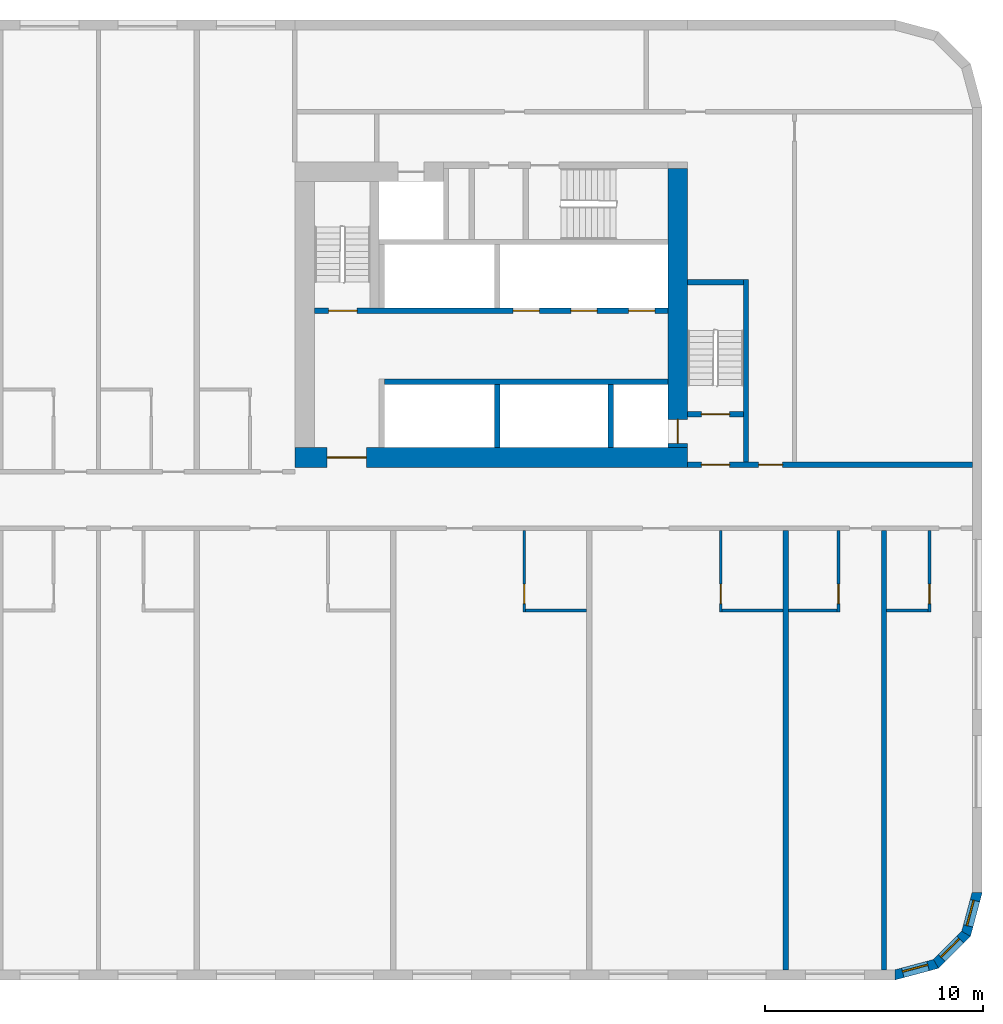
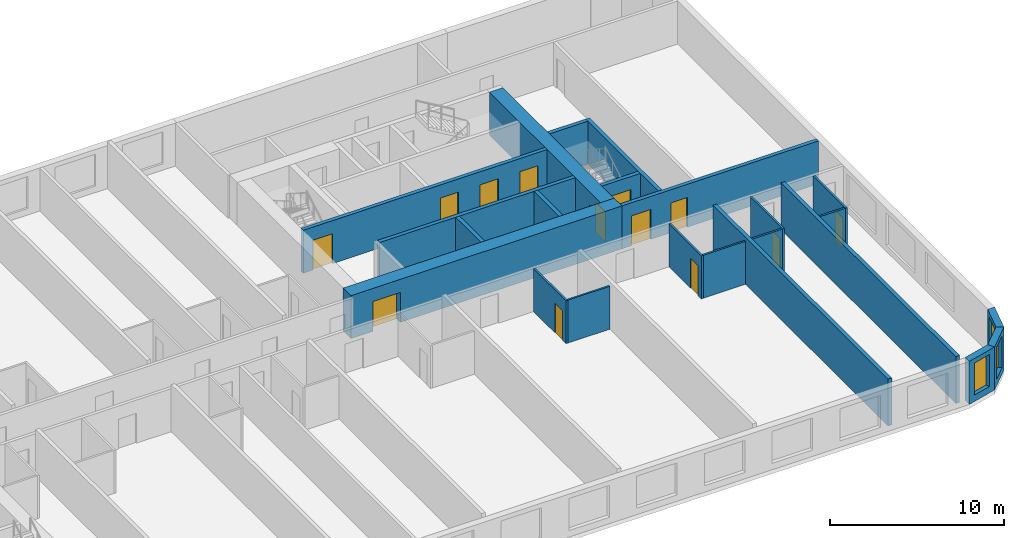
# One storey, part 7 of 12: 23 walls, 13 doors, 3 windows, 16 openings.
"""IFC4 building model written with IfcOpenShell, lengths in metres."""

from ifc_helpers import new_model, si_unit, direction, frame, frame_2d, origin, place, context, subcontext, project, spatial, polyline, rectangle, outline, extrude, material, layer, layer_set, type_object, element, fill, save


model = new_model("IFC4")

# Units and contexts
model_context = context("Model", 3, precision=1e-05, world=origin(), true_north=direction((0.0, 1.0)))
body_context = subcontext(model_context, "Body", "Model", "MODEL_VIEW")
ifc_project = project(units=[si_unit("LENGTHUNIT", "METRE"), si_unit("AREAUNIT", "SQUARE_METRE"), si_unit("VOLUMEUNIT", "CUBIC_METRE"), si_unit("PLANEANGLEUNIT", "RADIAN"), si_unit("MASSUNIT", "GRAM", prefix="KILO")], contexts=[model_context])

# Site, building, storey
site_placement = place(None, origin())
site = spatial("IfcSite", under=ifc_project, at=site_placement, CompositionType="ELEMENT")
building_placement = place(site_placement, origin())
building = spatial("IfcBuilding", under=site, at=building_placement, Name="Kajstack Hotel Tower", CompositionType="ELEMENT")
storey_placement = place(building_placement, frame((0.0, 0.0, 66.60009765625)))
storey = spatial("IfcBuildingStorey", under=building, at=storey_placement, Name="L11", CompositionType="ELEMENT", Elevation=66.60009765625)

# Wall, opening, door
ifc_material_1 = material(Name="Concrete C60/75", Category="concrete")
ifc_layer_1 = layer(ifc_material_1, 0.89990234375)
ifc_layer_set_1 = layer_set([ifc_layer_1], Name="Core wall 900")
wall_type_1 = type_object("IfcWallType", Name="Core wall 900", PredefinedType="SHEAR", material=ifc_layer_set_1)
wall_1_placement = place(storey_placement, frame((13.5, 1.949951171875, 0.0), z_axis=(0.0, 0.0, 1.0), x_axis=(1.0, 0.0, 0.0)))
wall_1 = element("IfcWall", 1, at=wall_1_placement, inside=storey, type_object=wall_type_1, Name="Core wall E RN", PredefinedType="SHEAR", context=body_context, shape_type="SweptSolid", body=[
    extrude(rectangle(XDim=18.0, YDim=0.89990234375, at=frame_2d((9.0, 0.0))), origin(), (0.0, 0.0, 1.0), 3.02001953125),
])
opening_1_placement = place(wall_1_placement, frame((1.47509765625, 0.0, 0.0)))
opening_1 = element("IfcOpeningElement", 2, at=opening_1_placement, cuts=wall_1, Name="Opening 11E06", PredefinedType="OPENING", context=body_context, shape_type="SweptSolid", body=[
    extrude(rectangle(XDim=1.800048828125, YDim=2.10009765625, at=frame_2d((0.89990234375, 1.050048828125))), frame((0.0, 0.4599609375, 0.0), z_axis=(0.0, -1.0, 0.0), x_axis=(1.0, 0.0, 0.0)), (0.0, 0.0, 1.0), 0.919921875),
])
ifc_material_2 = material(Name="Glazed steel frame, fire-rated glass", Category="steel")
door_type_1 = type_object("IfcDoorType", Name="Lobby double door 1800", OperationType="DOUBLE_DOOR_DOUBLE_SWING", PredefinedType="DOOR", material=ifc_material_2)
door_1_placement = place(opening_1_placement, origin())
door_1 = element("IfcDoor", 3, at=door_1_placement, inside=storey, type_object=door_type_1, Name="Door 11E06", OperationType="DOUBLE_DOOR_DOUBLE_SWING", OverallHeight=2.10009765625, OverallWidth=1.800048828125, PredefinedType="DOOR", context=body_context, shape_type="SweptSolid", body=[
    extrude(rectangle(XDim=1.800048828125, YDim=2.10009765625, at=frame_2d((0.89990234375, 1.050048828125))), frame((0.0, 0.02490234375, 0.0), z_axis=(0.0, -1.0, 0.0), x_axis=(1.0, 0.0, 0.0)), (0.0, 0.0, 1.0), 0.050048828125),
])
fill(opening_1, door_1)

wall_2_placement = place(storey_placement, frame((31.050048828125, 2.39990234375, 0.0), z_axis=(0.0, 0.0, 1.0), x_axis=(0.0, 1.0, 0.0)))
wall_2 = element("IfcWall", 4, at=wall_2_placement, inside=storey, type_object=wall_type_1, Name="Core wall E RW", PredefinedType="SHEAR", context=body_context, shape_type="SweptSolid", body=[
    extrude(rectangle(XDim=12.800048828125, YDim=0.89990234375, at=frame_2d((6.39990234375, 0.0))), origin(), (0.0, 0.0, 1.0), 3.02001953125),
])
opening_2_placement = place(wall_2_placement, frame((0.199951171875, 0.0, 0.0)))
opening_2 = element("IfcOpeningElement", 5, at=opening_2_placement, cuts=wall_2, Name="Opening LD-FF2", PredefinedType="OPENING", context=body_context, shape_type="SweptSolid", body=[
    extrude(rectangle(XDim=1.10009765625, YDim=2.10009765625, at=frame_2d((0.550048828125, 1.050048828125))), frame((0.0, 0.4599609375, 0.0), z_axis=(0.0, -1.0, 0.0), x_axis=(1.0, 0.0, 0.0)), (0.0, 0.0, 1.0), 0.919921875),
])
ifc_material_3 = material(Name="Stainless steel", Category="steel")
door_type_2 = type_object("IfcDoorType", Name="Fire-fighting lift landing door 1100", OperationType="SLIDING_TO_LEFT", PredefinedType="DOOR", material=ifc_material_3)
door_2_placement = place(opening_2_placement, origin())
door_2 = element("IfcDoor", 6, at=door_2_placement, inside=storey, type_object=door_type_2, Name="Landing door FF2", OperationType="SLIDING_TO_LEFT", OverallHeight=2.10009765625, OverallWidth=1.10009765625, PredefinedType="DOOR", context=body_context, shape_type="SweptSolid", body=[
    extrude(rectangle(XDim=1.10009765625, YDim=2.10009765625, at=frame_2d((0.550048828125, 1.050048828125))), frame((0.0, 0.02490234375, 0.0), z_axis=(0.0, -1.0, 0.0), x_axis=(1.0, 0.0, 0.0)), (0.0, 0.0, 1.0), 0.050048828125),
])
fill(opening_2, door_2)

# Wall, opening, window
ifc_material_4 = material(Name="Terracotta-faced brick masonry", Category="masonry")
ifc_layer_2 = layer(ifc_material_4, 0.449951171875)
ifc_layer_set_2 = layer_set([ifc_layer_2], Name="EW-TERRA")
wall_type_2 = type_object("IfcWallType", Name="EW-TERRA", PredefinedType="SOLIDWALL", material=ifc_layer_set_2)
wall_3_placement = place(storey_placement, frame((40.941650390625, -21.78271484375, 0.0), z_axis=(0.0, 0.0, 1.0), x_axis=(0.965926999034, 0.25881466832, 0.0)))
wall_3 = element("IfcWall", 7, at=wall_3_placement, inside=storey, type_object=wall_type_2, Name="E-wall-L11-04-00", PredefinedType="SOLIDWALL", context=body_context, shape_type="SweptSolid", body=[
    extrude(outline(polyline([(0.000244140625, -0.22509765625), (2.070556640625, -0.224853515625), (1.9501953125, 0.22509765625), (0.12060546875, 0.22509765625), (0.000244140625, -0.22509765625)])), origin(), (0.0, 0.0, 1.0), 3.02001953125),
])
opening_3_placement = place(wall_3_placement, frame((0.435302734375, 0.0, 0.449951171875)))
opening_3 = element("IfcOpeningElement", 8, at=opening_3_placement, cuts=wall_3, Name="Opening W3", PredefinedType="OPENING", context=body_context, shape_type="SweptSolid", body=[
    extrude(rectangle(XDim=1.199951171875, YDim=2.25, at=frame_2d((0.60009765625, 1.125))), frame((0.0, 0.23486328125, 0.0), z_axis=(0.0, -1.0, 0.0), x_axis=(1.0, 0.0, 0.0)), (0.0, 0.0, 1.0), 0.469970703125),
])
ifc_material_5 = material(Name="Timber-aluminium window, triple glazed", Category="wood")
window_type = type_object("IfcWindowType", Name="WG3", PartitioningType="SINGLE_PANEL", PredefinedType="WINDOW", material=ifc_material_5)
window_1_placement = place(opening_3_placement, origin())
window_1 = element("IfcWindow", 9, at=window_1_placement, inside=storey, type_object=window_type, Name="Window W3 L11-04", OverallHeight=2.25, OverallWidth=1.199951171875, PartitioningType="SINGLE_PANEL", PredefinedType="WINDOW", context=body_context, shape_type="SweptSolid", body=[
    extrude(rectangle(XDim=1.199951171875, YDim=2.25, at=frame_2d((0.60009765625, 1.125))), frame((0.0, 0.090087890625, 0.0), z_axis=(0.0, -1.0, 0.0), x_axis=(1.0, 0.0, 0.0)), (0.0, 0.0, 1.0), 0.06005859375),
])
fill(opening_3, window_1)

wall_4_placement = place(storey_placement, frame((42.8408203125, -21.304931640625, 0.0), z_axis=(0.0, 0.0, 1.0), x_axis=(0.707106781187, 0.707106781187, 0.0)))
wall_4 = element("IfcWall", 10, at=wall_4_placement, inside=storey, type_object=wall_type_2, Name="E-wall-L11-05-00", PredefinedType="SOLIDWALL", context=body_context, shape_type="SweptSolid", body=[
    extrude(outline(polyline([(0.0, -0.22509765625), (2.070556640625, -0.22509765625), (1.949951171875, 0.224853515625), (0.12060546875, 0.224853515625), (0.0, -0.22509765625)])), origin(), (0.0, 0.0, 1.0), 3.02001953125),
])
opening_4_placement = place(wall_4_placement, frame((0.435302734375, 0.0, 0.449951171875)))
opening_4 = element("IfcOpeningElement", 11, at=opening_4_placement, cuts=wall_4, Name="Opening W3", PredefinedType="OPENING", context=body_context, shape_type="SweptSolid", body=[
    extrude(rectangle(XDim=1.199951171875, YDim=2.25, at=frame_2d((0.60009765625, 1.125))), frame((0.0, 0.23486328125, 0.0), z_axis=(0.0, -1.0, 0.0), x_axis=(1.0, 0.0, 0.0)), (0.0, 0.0, 1.0), 0.469970703125),
])
window_2_placement = place(opening_4_placement, origin())
window_2 = element("IfcWindow", 12, at=window_2_placement, inside=storey, type_object=window_type, Name="Window W3 L11-05", OverallHeight=2.25, OverallWidth=1.199951171875, PartitioningType="SINGLE_PANEL", PredefinedType="WINDOW", context=body_context, shape_type="SweptSolid", body=[
    extrude(rectangle(XDim=1.199951171875, YDim=2.25, at=frame_2d((0.60009765625, 1.125))), frame((0.0, 0.090087890625, 0.0), z_axis=(0.0, -1.0, 0.0), x_axis=(1.0, 0.0, 0.0)), (0.0, 0.0, 1.0), 0.06005859375),
])
fill(opening_4, window_2)

wall_5_placement = place(storey_placement, frame((44.246826171875, -19.941650390625, 0.0), z_axis=(0.0, 0.0, 1.0), x_axis=(0.25881466832, 0.965926999034, 0.0)))
wall_5 = element("IfcWall", 13, at=wall_5_placement, inside=storey, type_object=wall_type_2, Name="E-wall-L11-06-00", PredefinedType="SOLIDWALL", context=body_context, shape_type="SweptSolid", body=[
    extrude(outline(polyline([(-0.000244140625, -0.224853515625), (2.0703125, -0.22509765625), (1.949951171875, 0.22509765625), (0.120361328125, 0.22509765625), (-0.000244140625, -0.224853515625)])), origin(), (0.0, 0.0, 1.0), 3.02001953125),
])
opening_5_placement = place(wall_5_placement, frame((0.435302734375, 0.0, 0.449951171875)))
opening_5 = element("IfcOpeningElement", 14, at=opening_5_placement, cuts=wall_5, Name="Opening W3", PredefinedType="OPENING", context=body_context, shape_type="SweptSolid", body=[
    extrude(rectangle(XDim=1.199951171875, YDim=2.25, at=frame_2d((0.60009765625, 1.125))), frame((0.0, 0.23486328125, 0.0), z_axis=(0.0, -1.0, 0.0), x_axis=(1.0, 0.0, 0.0)), (0.0, 0.0, 1.0), 0.469970703125),
])
window_3_placement = place(opening_5_placement, origin())
window_3 = element("IfcWindow", 15, at=window_3_placement, inside=storey, type_object=window_type, Name="Window W3 L11-06", OverallHeight=2.25, OverallWidth=1.199951171875, PartitioningType="SINGLE_PANEL", PredefinedType="WINDOW", context=body_context, shape_type="SweptSolid", body=[
    extrude(rectangle(XDim=1.199951171875, YDim=2.25, at=frame_2d((0.60009765625, 1.125))), frame((0.0, 0.090087890625, 0.0), z_axis=(0.0, -1.0, 0.0), x_axis=(1.0, 0.0, 0.0)), (0.0, 0.0, 1.0), 0.06005859375),
])
fill(opening_5, window_3)

# Wall, opening, door
ifc_material_6 = material(Name="Gypsum board and tiled backer on steel studs", Category="steel")
ifc_layer_3 = layer(ifc_material_6, 0.125)
ifc_layer_set_3 = layer_set([ifc_layer_3], Name="En-suite wall 125")
wall_type_3 = type_object("IfcWallType", Name="En-suite wall 125", PredefinedType="PARTITIONING", material=ifc_layer_set_3)
wall_6_placement = place(storey_placement, frame((24.011962890625, -5.125, 0.0), z_axis=(0.0, 0.0, 1.0), x_axis=(0.0, 1.0, 0.0)))
wall_6 = element("IfcWall", 16, at=wall_6_placement, inside=storey, type_object=wall_type_3, Name="G-wall-L11-038", PredefinedType="PARTITIONING", context=body_context, shape_type="SweptSolid", body=[
    extrude(rectangle(XDim=3.72509765625, YDim=0.125, at=frame_2d((1.862548828125, 0.0))), origin(), (0.0, 0.0, 1.0), 3.02001953125),
])
opening_6_placement = place(wall_6_placement, frame((0.375, 0.0, 0.0)))
opening_6 = element("IfcOpeningElement", 17, at=opening_6_placement, cuts=wall_6, Name="Opening 11032", PredefinedType="OPENING", context=body_context, shape_type="SweptSolid", body=[
    extrude(rectangle(XDim=0.89990234375, YDim=2.10009765625, at=frame_2d((0.449951171875, 1.050048828125))), frame((0.0, 0.072509765625, 0.0), z_axis=(0.0, -1.0, 0.0), x_axis=(1.0, 0.0, 0.0)), (0.0, 0.0, 1.0), 0.14501953125),
])
ifc_material_7 = material(Name="Painted timber door leaf", Category="wood")
door_type_3 = type_object("IfcDoorType", Name="Room door 900", OperationType="SINGLE_SWING_LEFT", PredefinedType="DOOR", material=ifc_material_7)
door_3_placement = place(opening_6_placement, origin())
door_3 = element("IfcDoor", 18, at=door_3_placement, inside=storey, type_object=door_type_3, Name="G-door-L11-32", OperationType="SINGLE_SWING_RIGHT", OverallHeight=2.10009765625, OverallWidth=0.89990234375, PredefinedType="DOOR", context=body_context, shape_type="SweptSolid", body=[
    extrude(rectangle(XDim=0.89990234375, YDim=2.10009765625, at=frame_2d((0.449951171875, 1.050048828125))), frame((0.0, 0.02490234375, 0.0), z_axis=(0.0, -1.0, 0.0), x_axis=(1.0, 0.0, 0.0)), (0.0, 0.0, 1.0), 0.050048828125),
])
fill(opening_6, door_3)

# Wall
wall_7_placement = place(storey_placement, frame((24.074951171875, -5.06201171875, 0.0), z_axis=(0.0, 0.0, 1.0), x_axis=(1.0, 0.0, 0.0)))
element("IfcWall", 19, at=wall_7_placement, inside=storey, type_object=wall_type_3, Name="G-wall-L11-039", PredefinedType="PARTITIONING", context=body_context, shape_type="SweptSolid", body=[
    extrude(rectangle(XDim=2.800048828125, YDim=0.125, at=frame_2d((1.39990234375, 0.0))), origin(), (0.0, 0.0, 1.0), 3.02001953125),
])

# Wall, opening, door
wall_8_placement = place(storey_placement, frame((33.012939453125, -5.125, 0.0), z_axis=(0.0, 0.0, 1.0), x_axis=(0.0, 1.0, 0.0)))
wall_8 = element("IfcWall", 20, at=wall_8_placement, inside=storey, type_object=wall_type_3, Name="G-wall-L11-040", PredefinedType="PARTITIONING", context=body_context, shape_type="SweptSolid", body=[
    extrude(rectangle(XDim=3.72509765625, YDim=0.125, at=frame_2d((1.862548828125, 0.0))), origin(), (0.0, 0.0, 1.0), 3.02001953125),
])
opening_7_placement = place(wall_8_placement, frame((0.375, 0.0, 0.0)))
opening_7 = element("IfcOpeningElement", 21, at=opening_7_placement, cuts=wall_8, Name="Opening 11034", PredefinedType="OPENING", context=body_context, shape_type="SweptSolid", body=[
    extrude(rectangle(XDim=0.89990234375, YDim=2.10009765625, at=frame_2d((0.449951171875, 1.050048828125))), frame((0.0, 0.072509765625, 0.0), z_axis=(0.0, -1.0, 0.0), x_axis=(1.0, 0.0, 0.0)), (0.0, 0.0, 1.0), 0.14501953125),
])
door_4_placement = place(opening_7_placement, origin())
door_4 = element("IfcDoor", 22, at=door_4_placement, inside=storey, type_object=door_type_3, Name="G-door-L11-34", OperationType="SINGLE_SWING_RIGHT", OverallHeight=2.10009765625, OverallWidth=0.89990234375, PredefinedType="DOOR", context=body_context, shape_type="SweptSolid", body=[
    extrude(rectangle(XDim=0.89990234375, YDim=2.10009765625, at=frame_2d((0.449951171875, 1.050048828125))), frame((0.0, 0.02490234375, 0.0), z_axis=(0.0, -1.0, 0.0), x_axis=(1.0, 0.0, 0.0)), (0.0, 0.0, 1.0), 0.050048828125),
])
fill(opening_7, door_4)

# Wall
wall_9_placement = place(storey_placement, frame((33.074951171875, -5.06201171875, 0.0), z_axis=(0.0, 0.0, 1.0), x_axis=(1.0, 0.0, 0.0)))
element("IfcWall", 23, at=wall_9_placement, inside=storey, type_object=wall_type_3, Name="G-wall-L11-041", PredefinedType="PARTITIONING", context=body_context, shape_type="SweptSolid", body=[
    extrude(rectangle(XDim=2.800048828125, YDim=0.125, at=frame_2d((1.39990234375, 0.0))), origin(), (0.0, 0.0, 1.0), 3.02001953125),
])

# Wall, opening, door
wall_10_placement = place(storey_placement, frame((38.4130859375, -5.125, 0.0), z_axis=(0.0, 0.0, 1.0), x_axis=(0.0, 1.0, 0.0)))
wall_10 = element("IfcWall", 24, at=wall_10_placement, inside=storey, type_object=wall_type_3, Name="G-wall-L11-042", PredefinedType="PARTITIONING", context=body_context, shape_type="SweptSolid", body=[
    extrude(rectangle(XDim=3.72509765625, YDim=0.125, at=frame_2d((1.862548828125, 0.0))), origin(), (0.0, 0.0, 1.0), 3.02001953125),
])
opening_8_placement = place(wall_10_placement, frame((0.375, 0.0, 0.0)))
opening_8 = element("IfcOpeningElement", 25, at=opening_8_placement, cuts=wall_10, Name="Opening 11036", PredefinedType="OPENING", context=body_context, shape_type="SweptSolid", body=[
    extrude(rectangle(XDim=0.89990234375, YDim=2.10009765625, at=frame_2d((0.449951171875, 1.050048828125))), frame((0.0, 0.072509765625, 0.0), z_axis=(0.0, -1.0, 0.0), x_axis=(1.0, 0.0, 0.0)), (0.0, 0.0, 1.0), 0.14501953125),
])
door_5_placement = place(opening_8_placement, origin())
door_5 = element("IfcDoor", 26, at=door_5_placement, inside=storey, type_object=door_type_3, Name="G-door-L11-36", OperationType="SINGLE_SWING_RIGHT", OverallHeight=2.10009765625, OverallWidth=0.89990234375, PredefinedType="DOOR", context=body_context, shape_type="SweptSolid", body=[
    extrude(rectangle(XDim=0.89990234375, YDim=2.10009765625, at=frame_2d((0.449951171875, 1.050048828125))), frame((0.0, 0.02490234375, 0.0), z_axis=(0.0, -1.0, 0.0), x_axis=(1.0, 0.0, 0.0)), (0.0, 0.0, 1.0), 0.050048828125),
])
fill(opening_8, door_5)

# Wall
wall_11_placement = place(storey_placement, frame((36.125, -5.06201171875, 0.0), z_axis=(0.0, 0.0, 1.0), x_axis=(1.0, 0.0, 0.0)))
element("IfcWall", 27, at=wall_11_placement, inside=storey, type_object=wall_type_3, Name="G-wall-L11-043", PredefinedType="PARTITIONING", context=body_context, shape_type="SweptSolid", body=[
    extrude(rectangle(XDim=2.22509765625, YDim=0.125, at=frame_2d((1.112548828125, 0.0))), origin(), (0.0, 0.0, 1.0), 3.02001953125),
])

# Wall, opening, door
wall_12_placement = place(storey_placement, frame((42.5869140625, -5.125, 0.0), z_axis=(0.0, 0.0, 1.0), x_axis=(0.0, 1.0, 0.0)))
wall_12 = element("IfcWall", 28, at=wall_12_placement, inside=storey, type_object=wall_type_3, Name="G-wall-L11-044", PredefinedType="PARTITIONING", context=body_context, shape_type="SweptSolid", body=[
    extrude(rectangle(XDim=3.72509765625, YDim=0.125, at=frame_2d((1.862548828125, 0.0))), origin(), (0.0, 0.0, 1.0), 3.02001953125),
])
opening_9_placement = place(wall_12_placement, frame((0.375, 0.0, 0.0)))
opening_9 = element("IfcOpeningElement", 29, at=opening_9_placement, cuts=wall_12, Name="Opening 11038", PredefinedType="OPENING", context=body_context, shape_type="SweptSolid", body=[
    extrude(rectangle(XDim=0.89990234375, YDim=2.10009765625, at=frame_2d((0.449951171875, 1.050048828125))), frame((0.0, 0.072509765625, 0.0), z_axis=(0.0, -1.0, 0.0), x_axis=(1.0, 0.0, 0.0)), (0.0, 0.0, 1.0), 0.14501953125),
])
door_6_placement = place(opening_9_placement, origin())
door_6 = element("IfcDoor", 30, at=door_6_placement, inside=storey, type_object=door_type_3, Name="G-door-L11-38", OperationType="SINGLE_SWING_LEFT", OverallHeight=2.10009765625, OverallWidth=0.89990234375, PredefinedType="DOOR", context=body_context, shape_type="SweptSolid", body=[
    extrude(rectangle(XDim=0.89990234375, YDim=2.10009765625, at=frame_2d((0.449951171875, 1.050048828125))), frame((0.0, 0.02490234375, 0.0), z_axis=(0.0, -1.0, 0.0), x_axis=(1.0, 0.0, 0.0)), (0.0, 0.0, 1.0), 0.050048828125),
])
fill(opening_9, door_6)

# Walls
wall_13_placement = place(storey_placement, frame((40.625, -5.06201171875, 0.0), z_axis=(0.0, 0.0, 1.0), x_axis=(1.0, 0.0, 0.0)))
element("IfcWall", 31, at=wall_13_placement, inside=storey, type_object=wall_type_3, Name="G-wall-L11-045", PredefinedType="PARTITIONING", context=body_context, shape_type="SweptSolid", body=[
    extrude(rectangle(XDim=1.89990234375, YDim=0.125, at=frame_2d((0.949951171875, 0.0))), origin(), (0.0, 0.0, 1.0), 3.02001953125),
])
ifc_material_8 = material(Name="Concrete C50/60", Category="concrete")
ifc_layer_4 = layer(ifc_material_8, 0.300048828125)
ifc_layer_set_4 = layer_set([ifc_layer_4], Name="Hoistway divider wall 300")
wall_type_4 = type_object("IfcWallType", Name="Hoistway divider wall 300", PredefinedType="SHEAR", material=ifc_layer_set_4)
wall_14_placement = place(storey_placement, frame((22.77490234375, 2.39990234375, 0.0), z_axis=(0.0, 0.0, 1.0), x_axis=(0.0, 1.0, 0.0)))
element("IfcWall", 32, at=wall_14_placement, inside=storey, type_object=wall_type_4, Name="Core wall E AP2", PredefinedType="SHEAR", context=body_context, shape_type="SweptSolid", body=[
    extrude(rectangle(XDim=2.900146484375, YDim=0.25, at=frame_2d((1.4501953125, 0.0))), origin(), (0.0, 0.0, 1.0), 3.02001953125),
])
ifc_layer_5 = layer(ifc_material_1, 0.25)
ifc_layer_set_5 = layer_set([ifc_layer_5], Name="RC cross wall 250 C60/75")
wall_type_5 = type_object("IfcWallType", Name="RC cross wall 250 C60/75", PredefinedType="SHEAR", material=ifc_layer_set_5)
for number, where, z_axis, x_axis, name in (
    (33, (36.0, -21.5400390625, 0.0), (0.0, 0.0, 1.0), (0.0, 1.0, 0.0), "S-wall-L11-13"),
    (34, (40.5, -21.5400390625, 0.0), (0.0, 0.0, 1.0), (0.0, 1.0, 0.0), "S-wall-L11-14"),
):
    element("IfcWall", number, at=place(storey_placement, frame(where, z_axis=z_axis, x_axis=x_axis)), inside=storey, type_object=wall_type_5, Name=name, PredefinedType="SHEAR", context=body_context, shape_type="SweptSolid", body=[
        extrude(rectangle(XDim=20.14013671875, YDim=0.25, at=frame_2d((10.070068359375, 0.0))), origin(), (0.0, 0.0, 1.0), 3.2998046875),
    ])

# Wall, openings, doors
ifc_material_9 = material(Name="Gypsum board on steel studs, mineral wool", Category="steel")
ifc_layer_6 = layer(ifc_material_9, 0.199951171875)
ifc_layer_set_6 = layer_set([ifc_layer_6], Name="Service partition 200")
wall_type_6 = type_object("IfcWallType", Name="Service partition 200", PredefinedType="PARTITIONING", material=ifc_layer_set_6)
wall_15_placement = place(storey_placement, frame((31.5, 1.625, 0.0), z_axis=(0.0, 0.0, 1.0), x_axis=(1.0, 0.0, 0.0)))
wall_15 = element("IfcWall", 35, at=wall_15_placement, inside=storey, type_object=wall_type_6, Name="Partition E SN", PredefinedType="PARTITIONING", context=body_context, shape_type="SweptSolid", body=[
    extrude(rectangle(XDim=13.050048828125, YDim=0.25, at=frame_2d((6.52490234375, 0.0))), origin(), (0.0, 0.0, 1.0), 3.02001953125),
])
opening_10_placement = place(wall_15_placement, frame((0.625, 0.0, 0.0)))
opening_10 = element("IfcOpeningElement", 36, at=opening_10_placement, cuts=wall_15, Name="Opening 11E07", PredefinedType="OPENING", context=body_context, shape_type="SweptSolid", body=[
    extrude(rectangle(XDim=1.300048828125, YDim=2.10009765625, at=frame_2d((0.64990234375, 1.050048828125))), frame((0.0, 0.135009765625, 0.0), z_axis=(0.0, -1.0, 0.0), x_axis=(1.0, 0.0, 0.0)), (0.0, 0.0, 1.0), 0.27001953125),
])
opening_11_placement = place(wall_15_placement, frame((3.25, 0.0, 0.0)))
opening_11 = element("IfcOpeningElement", 37, at=opening_11_placement, cuts=wall_15, Name="Opening 11E09", PredefinedType="OPENING", context=body_context, shape_type="SweptSolid", body=[
    extrude(rectangle(XDim=1.10009765625, YDim=2.10009765625, at=frame_2d((0.550048828125, 1.050048828125))), frame((0.0, 0.135009765625, 0.0), z_axis=(0.0, -1.0, 0.0), x_axis=(1.0, 0.0, 0.0)), (0.0, 0.0, 1.0), 0.27001953125),
])
ifc_material_10 = material(Name="Steel leaf, fire-rated", Category="steel")
door_type_4 = type_object("IfcDoorType", Name="Fire lobby door 1300", OperationType="SINGLE_SWING_LEFT", PredefinedType="DOOR", material=ifc_material_10)
door_7_placement = place(opening_10_placement, origin())
door_7 = element("IfcDoor", 38, at=door_7_placement, inside=storey, type_object=door_type_4, Name="Door 11E07", OperationType="SINGLE_SWING_LEFT", OverallHeight=2.10009765625, OverallWidth=1.300048828125, PredefinedType="DOOR", context=body_context, shape_type="SweptSolid", body=[
    extrude(rectangle(XDim=1.300048828125, YDim=2.10009765625, at=frame_2d((0.64990234375, 1.050048828125))), frame((0.0, 0.02490234375, 0.0), z_axis=(0.0, -1.0, 0.0), x_axis=(1.0, 0.0, 0.0)), (0.0, 0.0, 1.0), 0.050048828125),
])
fill(opening_10, door_7)
ifc_material_11 = material(Name="Timber leaf, fire-rated", Category="wood")
door_type_5 = type_object("IfcDoorType", Name="Service corridor door 1100", OperationType="SINGLE_SWING_LEFT", PredefinedType="DOOR", material=ifc_material_11)
door_8_placement = place(opening_11_placement, origin())
door_8 = element("IfcDoor", 39, at=door_8_placement, inside=storey, type_object=door_type_5, Name="Door 11E09", OperationType="SINGLE_SWING_LEFT", OverallHeight=2.10009765625, OverallWidth=1.10009765625, PredefinedType="DOOR", context=body_context, shape_type="SweptSolid", body=[
    extrude(rectangle(XDim=1.10009765625, YDim=2.10009765625, at=frame_2d((0.550048828125, 1.050048828125))), frame((0.0, 0.02490234375, 0.0), z_axis=(0.0, -1.0, 0.0), x_axis=(1.0, 0.0, 0.0)), (0.0, 0.0, 1.0), 0.050048828125),
])
fill(opening_11, door_8)

# Walls
ifc_layer_7 = layer(ifc_material_8, 0.25)
ifc_layer_set_7 = layer_set([ifc_layer_7], Name="Shaft wall 250")
wall_type_7 = type_object("IfcWallType", Name="Shaft wall 250", PredefinedType="SHEAR", material=ifc_layer_set_7)
wall_16_placement = place(storey_placement, frame((17.60009765625, 5.425048828125, 0.0), z_axis=(0.0, 0.0, 1.0), x_axis=(1.0, 0.0, 0.0)))
element("IfcWall", 40, at=wall_16_placement, inside=storey, type_object=wall_type_7, Name="Core wall E FA", PredefinedType="SHEAR", context=body_context, shape_type="SweptSolid", body=[
    extrude(rectangle(XDim=13.0, YDim=0.25, at=frame_2d((6.5, 0.0))), origin(), (0.0, 0.0, 1.0), 3.02001953125),
])
wall_17_placement = place(storey_placement, frame((27.97509765625, 2.39990234375, 0.0), z_axis=(0.0, 0.0, 1.0), x_axis=(0.0, 1.0, 0.0)))
element("IfcWall", 41, at=wall_17_placement, inside=storey, type_object=wall_type_7, Name="Core wall E AP0", PredefinedType="SHEAR", context=body_context, shape_type="SweptSolid", body=[
    extrude(rectangle(XDim=2.900146484375, YDim=0.25, at=frame_2d((1.4501953125, 0.0))), origin(), (0.0, 0.0, 1.0), 3.02001953125),
])

# Wall, openings, doors
wall_18_placement = place(storey_placement, frame((14.39990234375, 8.675048828125, 0.0), z_axis=(0.0, 0.0, 1.0), x_axis=(1.0, 0.0, 0.0)))
wall_18 = element("IfcWall", 42, at=wall_18_placement, inside=storey, type_object=wall_type_7, Name="Core wall E FB", PredefinedType="SHEAR", context=body_context, shape_type="SweptSolid", body=[
    extrude(rectangle(XDim=16.2001953125, YDim=0.25, at=frame_2d((8.10009765625, 0.0))), origin(), (0.0, 0.0, 1.0), 3.02001953125),
])
opening_12_placement = place(wall_18_placement, frame((14.39990234375, 0.0, 0.0)))
opening_12 = element("IfcOpeningElement", 43, at=opening_12_placement, cuts=wall_18, Name="Opening LD-LR4", PredefinedType="OPENING", context=body_context, shape_type="SweptSolid", body=[
    extrude(rectangle(XDim=1.199951171875, YDim=2.10009765625, at=frame_2d((0.60009765625, 1.050048828125))), frame((0.0, 0.135009765625, 0.0), z_axis=(0.0, -1.0, 0.0), x_axis=(1.0, 0.0, 0.0)), (0.0, 0.0, 1.0), 0.27001953125),
])
opening_13_placement = place(wall_18_placement, frame((11.75, 0.0, 0.0)))
opening_13 = element("IfcOpeningElement", 44, at=opening_13_placement, cuts=wall_18, Name="Opening LD-LR5", PredefinedType="OPENING", context=body_context, shape_type="SweptSolid", body=[
    extrude(rectangle(XDim=1.199951171875, YDim=2.10009765625, at=frame_2d((0.60009765625, 1.050048828125))), frame((0.0, 0.135009765625, 0.0), z_axis=(0.0, -1.0, 0.0), x_axis=(1.0, 0.0, 0.0)), (0.0, 0.0, 1.0), 0.27001953125),
])
opening_14_placement = place(wall_18_placement, frame((9.10009765625, 0.0, 0.0)))
opening_14 = element("IfcOpeningElement", 45, at=opening_14_placement, cuts=wall_18, Name="Opening LD-LR6", PredefinedType="OPENING", context=body_context, shape_type="SweptSolid", body=[
    extrude(rectangle(XDim=1.199951171875, YDim=2.10009765625, at=frame_2d((0.60009765625, 1.050048828125))), frame((0.0, 0.135009765625, 0.0), z_axis=(0.0, -1.0, 0.0), x_axis=(1.0, 0.0, 0.0)), (0.0, 0.0, 1.0), 0.27001953125),
])
opening_15_placement = place(wall_18_placement, frame((0.64990234375, 0.0, 0.0)))
opening_15 = element("IfcOpeningElement", 46, at=opening_15_placement, cuts=wall_18, Name="Opening 11E10", PredefinedType="OPENING", context=body_context, shape_type="SweptSolid", body=[
    extrude(rectangle(XDim=1.300048828125, YDim=2.10009765625, at=frame_2d((0.64990234375, 1.050048828125))), frame((0.0, 0.135009765625, 0.0), z_axis=(0.0, -1.0, 0.0), x_axis=(1.0, 0.0, 0.0)), (0.0, 0.0, 1.0), 0.27001953125),
])
door_type_6 = type_object("IfcDoorType", Name="Lift landing door 1200", OperationType="SLIDING_TO_LEFT", PredefinedType="DOOR", material=ifc_material_3)
door_9_placement = place(opening_12_placement, origin())
door_9 = element("IfcDoor", 47, at=door_9_placement, inside=storey, type_object=door_type_6, Name="Landing door LR4", OperationType="SLIDING_TO_LEFT", OverallHeight=2.10009765625, OverallWidth=1.199951171875, PredefinedType="DOOR", context=body_context, shape_type="SweptSolid", body=[
    extrude(rectangle(XDim=1.199951171875, YDim=2.10009765625, at=frame_2d((0.60009765625, 1.050048828125))), frame((0.0, 0.02490234375, 0.0), z_axis=(0.0, -1.0, 0.0), x_axis=(1.0, 0.0, 0.0)), (0.0, 0.0, 1.0), 0.050048828125),
])
fill(opening_12, door_9)
door_10_placement = place(opening_13_placement, origin())
door_10 = element("IfcDoor", 48, at=door_10_placement, inside=storey, type_object=door_type_6, Name="Landing door LR5", OperationType="SLIDING_TO_RIGHT", OverallHeight=2.10009765625, OverallWidth=1.199951171875, PredefinedType="DOOR", context=body_context, shape_type="SweptSolid", body=[
    extrude(rectangle(XDim=1.199951171875, YDim=2.10009765625, at=frame_2d((0.60009765625, 1.050048828125))), frame((0.0, 0.02490234375, 0.0), z_axis=(0.0, -1.0, 0.0), x_axis=(1.0, 0.0, 0.0)), (0.0, 0.0, 1.0), 0.050048828125),
])
fill(opening_13, door_10)
door_11_placement = place(opening_14_placement, origin())
door_11 = element("IfcDoor", 49, at=door_11_placement, inside=storey, type_object=door_type_6, Name="Landing door LR6", OperationType="SLIDING_TO_RIGHT", OverallHeight=2.10009765625, OverallWidth=1.199951171875, PredefinedType="DOOR", context=body_context, shape_type="SweptSolid", body=[
    extrude(rectangle(XDim=1.199951171875, YDim=2.10009765625, at=frame_2d((0.60009765625, 1.050048828125))), frame((0.0, 0.02490234375, 0.0), z_axis=(0.0, -1.0, 0.0), x_axis=(1.0, 0.0, 0.0)), (0.0, 0.0, 1.0), 0.050048828125),
])
fill(opening_14, door_11)
door_type_7 = type_object("IfcDoorType", Name="Stair door 1300", OperationType="SINGLE_SWING_LEFT", PredefinedType="DOOR", material=ifc_material_10)
door_12_placement = place(opening_15_placement, origin())
door_12 = element("IfcDoor", 50, at=door_12_placement, inside=storey, type_object=door_type_7, Name="Door 11E10", OperationType="SINGLE_SWING_LEFT", OverallHeight=2.10009765625, OverallWidth=1.300048828125, PredefinedType="DOOR", context=body_context, shape_type="SweptSolid", body=[
    extrude(rectangle(XDim=1.300048828125, YDim=2.10009765625, at=frame_2d((0.64990234375, 1.050048828125))), frame((0.0, 0.02490234375, 0.0), z_axis=(0.0, -1.0, 0.0), x_axis=(1.0, 0.0, 0.0)), (0.0, 0.0, 1.0), 0.050048828125),
])
fill(opening_15, door_12)

# Wall, opening, door
ifc_material_12 = material(Name="Concrete C40/50", Category="concrete")
ifc_layer_8 = layer(ifc_material_12, 0.25)
ifc_layer_set_8 = layer_set([ifc_layer_8], Name="Stair enclosure wall 250")
wall_type_8 = type_object("IfcWallType", Name="Stair enclosure wall 250", PredefinedType="SHEAR", material=ifc_layer_set_8)
wall_19_placement = place(storey_placement, frame((31.5, 3.925048828125, 0.0), z_axis=(0.0, 0.0, 1.0), x_axis=(1.0, 0.0, 0.0)))
wall_19 = element("IfcWall", 51, at=wall_19_placement, inside=storey, type_object=wall_type_8, Name="Core wall E W1N", PredefinedType="SHEAR", context=body_context, shape_type="SweptSolid", body=[
    extrude(rectangle(XDim=2.550048828125, YDim=0.25, at=frame_2d((1.27490234375, 0.0))), origin(), (0.0, 0.0, 1.0), 3.02001953125),
])
opening_16_placement = place(wall_19_placement, frame((0.625, 0.0, 0.0)))
opening_16 = element("IfcOpeningElement", 52, at=opening_16_placement, cuts=wall_19, Name="Opening 11E08", PredefinedType="OPENING", context=body_context, shape_type="SweptSolid", body=[
    extrude(rectangle(XDim=1.300048828125, YDim=2.10009765625, at=frame_2d((0.64990234375, 1.050048828125))), frame((0.0, 0.135009765625, 0.0), z_axis=(0.0, -1.0, 0.0), x_axis=(1.0, 0.0, 0.0)), (0.0, 0.0, 1.0), 0.27001953125),
])
door_13_placement = place(opening_16_placement, origin())
door_13 = element("IfcDoor", 53, at=door_13_placement, inside=storey, type_object=door_type_7, Name="Door 11E08", OperationType="SINGLE_SWING_LEFT", OverallHeight=2.10009765625, OverallWidth=1.300048828125, PredefinedType="DOOR", context=body_context, shape_type="SweptSolid", body=[
    extrude(rectangle(XDim=1.300048828125, YDim=2.10009765625, at=frame_2d((0.64990234375, 1.050048828125))), frame((0.0, 0.02490234375, 0.0), z_axis=(0.0, -1.0, 0.0), x_axis=(1.0, 0.0, 0.0)), (0.0, 0.0, 1.0), 0.050048828125),
])
fill(opening_16, door_13)

# Walls
wall_20_placement = place(storey_placement, frame((34.175048828125, 1.75, 0.0), z_axis=(0.0, 0.0, 1.0), x_axis=(0.0, 1.0, 0.0)))
element("IfcWall", 54, at=wall_20_placement, inside=storey, type_object=wall_type_8, Name="Core wall E W1W", PredefinedType="SHEAR", context=body_context, shape_type="SweptSolid", body=[
    extrude(rectangle(XDim=8.35009765625, YDim=0.25, at=frame_2d((4.175048828125, 0.0))), origin(), (0.0, 0.0, 1.0), 3.02001953125),
])
wall_21_placement = place(storey_placement, frame((31.5, 9.97509765625, 0.0), z_axis=(0.0, 0.0, 1.0), x_axis=(1.0, 0.0, 0.0)))
element("IfcWall", 55, at=wall_21_placement, inside=storey, type_object=wall_type_8, Name="Core wall E W1S", PredefinedType="SHEAR", context=body_context, shape_type="SweptSolid", body=[
    extrude(rectangle(XDim=2.550048828125, YDim=0.25, at=frame_2d((1.27490234375, 0.0))), origin(), (0.0, 0.0, 1.0), 3.02001953125),
])

save(model, "model.ifc")
